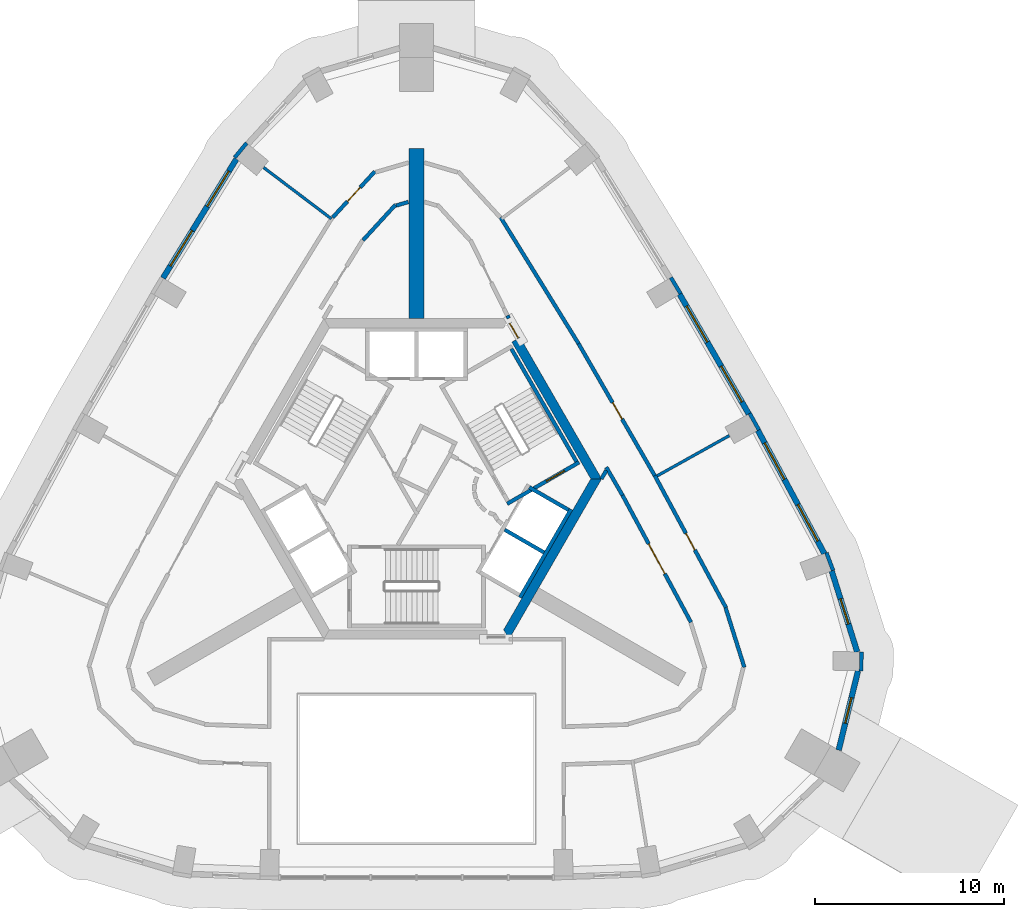
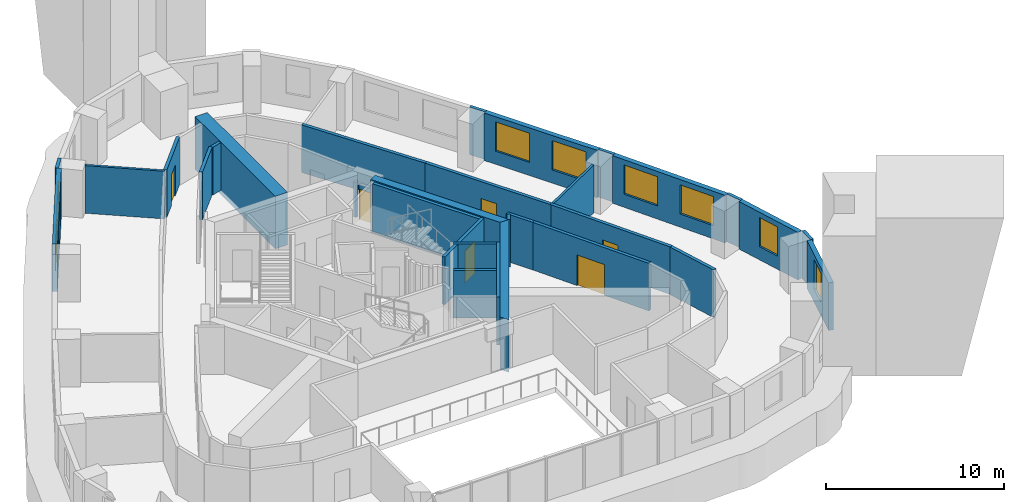
# One storey, part 6 of 11: 32 walls, 8 windows, 6 doors, 14 openings.
"""IFC4 building model written with IfcOpenShell, lengths in metres."""

import ifcopenshell
import ifcopenshell.guid

model = None  # the IFC model being written
_history = None  # IfcOwnerHistory: only IFC2X3 demands one
_inside = {}  # id of a spatial element -> (the spatial element, [elements in it])
_under = {}  # id of a project, library or spatial element -> (it, [spatial elements below it])
_declared = {}  # id of a project -> (the project, [libraries it declares])
_typed = {}  # id of a type object -> (the type object, [elements of that type])
_made_of = {}  # id of a material, layer set ... -> (it, [elements and type objects made of it])


def new_model(schema):
    """Start an empty IFC model of exactly this schema.

    Asked for "IFC4X3", IfcOpenShell would pick the latest addendum, in which some entities
    have other attributes; the version numbers below select the first issue.
    IFC2X3 requires an IfcOwnerHistory on every rooted entity: one is made here for all.
    """
    global model, _history
    if schema == "IFC4X3":
        model = ifcopenshell.file(schema_version=(4, 3, 0, 0))
    else:
        model = ifcopenshell.file(schema=schema)
    _inside.clear()
    _under.clear()
    _declared.clear()
    _typed.clear()
    _made_of.clear()
    _history = None
    if model.schema == "IFC2X3":
        org = make("IfcOrganization", Name="unknown")
        user = make(
            "IfcPersonAndOrganization",
            ThePerson=make("IfcPerson", FamilyName="unknown"),
            TheOrganization=org,
        )
        app = make(
            "IfcApplication",
            ApplicationDeveloper=org,
            Version="unknown",
            ApplicationFullName="unknown",
            ApplicationIdentifier="unknown",
        )
        _history = make(
            "IfcOwnerHistory",
            OwningUser=user,
            OwningApplication=app,
            ChangeAction="ADDED",
            CreationDate=0,
        )
    return model


def make(cls, **values):
    """One entity of the class cls with the attributes given. An attribute that is None is left unset."""
    return model.create_entity(
        cls, **{name: value for name, value in values.items() if value is not None}
    )


def rooted(cls, **values):
    """An entity with a GlobalId (a new one), such as an element, a storey or a relation."""
    return make(cls, GlobalId=ifcopenshell.guid.new(), OwnerHistory=_history, **values)


def si_unit(unit_type, name, prefix=None):
    """IfcSIUnit, for example si_unit("LENGTHUNIT", "METRE", prefix="MILLI")."""
    return make("IfcSIUnit", UnitType=unit_type, Prefix=prefix, Name=name)


def assignment(units):
    """IfcUnitAssignment: the units of a project."""
    return None if units is None else make("IfcUnitAssignment", Units=units)


def point(xyz):
    """IfcCartesianPoint."""
    return None if xyz is None else make("IfcCartesianPoint", Coordinates=xyz)


def direction(xyz):
    """IfcDirection."""
    return None if xyz is None else make("IfcDirection", DirectionRatios=xyz)


def frame(location, z_axis=None, x_axis=None):
    """IfcAxis2Placement3D, a coordinate frame: its origin and axes. An axis left out is left unset."""
    return make(
        "IfcAxis2Placement3D",
        Location=point(location),
        Axis=direction(z_axis),
        RefDirection=direction(x_axis),
    )


def frame_2d(location, x_axis=None):
    """IfcAxis2Placement2D, a coordinate frame in the plane: its origin and x axis."""
    return make(
        "IfcAxis2Placement2D", Location=point(location), RefDirection=direction(x_axis)
    )


def origin():
    """The frame at (0, 0, 0) with its axes left unset."""
    return frame((0.0, 0.0, 0.0))


def place(relative_to, where):
    """IfcLocalPlacement: puts the frame where relative to a parent placement (None: the world)."""
    return make(
        "IfcLocalPlacement", PlacementRelTo=relative_to, RelativePlacement=where
    )


def context(
    kind, dimensions, precision=None, world=None, true_north=None, identifier=None
):
    """IfcGeometricRepresentationContext, for example the 3D "Model" context."""
    return make(
        "IfcGeometricRepresentationContext",
        ContextIdentifier=identifier,
        ContextType=kind,
        CoordinateSpaceDimension=dimensions,
        Precision=precision,
        WorldCoordinateSystem=world,
        TrueNorth=true_north,
    )


def subcontext(parent, identifier, kind, view, scale=None):
    """IfcGeometricRepresentationSubContext, for example "Body" below "Model"."""
    return make(
        "IfcGeometricRepresentationSubContext",
        ContextIdentifier=identifier,
        ContextType=kind,
        ParentContext=parent,
        TargetScale=scale,
        TargetView=view,
    )


def project(units=None, contexts=None):
    """IfcProject with its units and contexts."""
    return rooted(
        "IfcProject",
        Name="project",
        RepresentationContexts=contexts,
        UnitsInContext=assignment(units),
    )


def spatial(cls, under=None, at=None, **own):
    """A site, building, storey or space (cls), placed at a placement, below another one or the project."""
    s = rooted(cls, ObjectPlacement=at, **own)
    if under is not None:
        _under.setdefault(under.id(), (under, []))[1].append(s)
    return s


def polyline(points):
    """IfcPolyline through the points."""
    return make("IfcPolyline", Points=[point(p) for p in points])


def profile(cls, at=None, kind="AREA", **sizes):
    """A parametric profile (cls). Its sizes go by their IFC names, for example OverallWidth=200.0."""
    return make(cls, ProfileType=kind, Position=at, **sizes)


def rectangle(**sizes):
    """IfcRectangleProfileDef."""
    return profile("IfcRectangleProfileDef", **sizes)


def outline(outer, holes=None, kind="AREA"):
    """IfcArbitraryClosedProfileDef: a profile drawn as a closed curve; with holes, ...WithVoids."""
    if holes is None:
        return make("IfcArbitraryClosedProfileDef", ProfileType=kind, OuterCurve=outer)
    return make(
        "IfcArbitraryProfileDefWithVoids",
        ProfileType=kind,
        OuterCurve=outer,
        InnerCurves=holes,
    )


def extrude(swept, where, along, depth):
    """IfcExtrudedAreaSolid: the profile swept, set in the frame where, extruded along a direction by depth."""
    return make(
        "IfcExtrudedAreaSolid",
        SweptArea=swept,
        Position=where,
        ExtrudedDirection=direction(along),
        Depth=depth,
    )


def shape(context_of_items, identifier, shape_type, items):
    """IfcShapeRepresentation: the items that make up one representation, for example the "Body"."""
    return make(
        "IfcShapeRepresentation",
        ContextOfItems=context_of_items,
        RepresentationIdentifier=identifier,
        RepresentationType=shape_type,
        Items=items,
    )


def material(Name=None, Category=None):
    """IfcMaterial."""
    return make("IfcMaterial", Name=Name, Category=Category)


def layer(
    of_material, thickness, ventilated=None, Name=None, Category=None, Priority=None
):
    """IfcMaterialLayer: one layer of a wall or slab, of a material (None: an air gap)."""
    return make(
        "IfcMaterialLayer",
        Material=of_material,
        LayerThickness=thickness,
        IsVentilated=ventilated,
        Name=Name,
        Category=Category,
        Priority=Priority,
    )


def layer_set(layers, Name=None):
    """IfcMaterialLayerSet."""
    return make("IfcMaterialLayerSet", MaterialLayers=layers, LayerSetName=Name)


def made_of(thing, what):
    """Note that an element or type object is made of a material, layer set ...; save() writes the relation."""
    if what is not None:
        _made_of.setdefault(what.id(), (what, []))[1].append(thing)
    return thing


def type_object(cls, material=None, **own):
    """A type object (cls), such as IfcWallType, which elements share."""
    return made_of(rooted(cls, **own), material)


def element(
    cls,
    number,
    at=None,
    inside=None,
    cuts=None,
    type_object=None,
    material=None,
    context=None,
    identifier="Body",
    shape_type=None,
    held_by="IfcProductDefinitionShape",
    body=None,
    shapes=None,
    **own,
):
    """One element of the class cls, such as IfcWall. Its Tag is "e" and its number.

    at: its placement. inside: the storey or other place that contains it. cuts: it is an
    opening in that element (IfcRelVoidsElement). A single representation is given by context,
    identifier, shape_type and body (its items); several are given by shapes. held_by: the class
    of the entity that holds the representations. save() writes the other relations.
    """
    e = rooted(cls, Tag="e%d" % number, ObjectPlacement=at, **own)
    if body is not None:
        shapes = [shape(context, identifier, shape_type, body)]
    if shapes is not None:
        e.Representation = make(held_by, Representations=shapes)
    if inside is not None:
        _inside.setdefault(inside.id(), (inside, []))[1].append(e)
    if cuts is not None:
        rooted(
            "IfcRelVoidsElement", RelatingBuildingElement=cuts, RelatedOpeningElement=e
        )
    if type_object is not None:
        _typed.setdefault(type_object.id(), (type_object, []))[1].append(e)
    return made_of(e, material)


def fill(opening, filler):
    """IfcRelFillsElement: the door or window that sits in an opening."""
    return rooted(
        "IfcRelFillsElement",
        RelatingOpeningElement=opening,
        RelatedBuildingElement=filler,
    )


def aggregate(whole, parts):
    """IfcRelAggregates: a whole, such as a stair, and the parts it consists of."""
    return rooted("IfcRelAggregates", RelatingObject=whole, RelatedObjects=parts)


def save(model, path):
    """Write the relations noted so far, then the file.

    IfcRelAggregates (storeys below a building ...), IfcRelContainedInSpatialStructure (elements
    in a storey), IfcRelDefinesByType, IfcRelAssociatesMaterial and IfcRelDeclares: one each for
    every whole, place, type object, material and project.
    """
    for whole, parts in _under.values():
        aggregate(whole, parts)
    for where, things in _inside.values():
        rooted(
            "IfcRelContainedInSpatialStructure",
            RelatedElements=things,
            RelatingStructure=where,
        )
    for kind, things in _typed.values():
        rooted("IfcRelDefinesByType", RelatedObjects=things, RelatingType=kind)
    for what, things in _made_of.values():
        rooted("IfcRelAssociatesMaterial", RelatedObjects=things, RelatingMaterial=what)
    for by, libraries in _declared.values():
        rooted("IfcRelDeclares", RelatingContext=by, RelatedDefinitions=libraries)
    model.write(path)


model = new_model("IFC4")

# Units and contexts
model_context = context("Model", 3, precision=1e-05, world=origin(), true_north=direction((0.0, 1.0)))
body_context = subcontext(model_context, "Body", "Model", "MODEL_VIEW")
ifc_project = project(units=[si_unit("LENGTHUNIT", "METRE"), si_unit("AREAUNIT", "SQUARE_METRE"), si_unit("VOLUMEUNIT", "CUBIC_METRE"), si_unit("PLANEANGLEUNIT", "RADIAN"), si_unit("MASSUNIT", "GRAM", prefix="KILO")], contexts=[model_context])

# Site, building, storey
site_placement = place(None, origin())
site = spatial("IfcSite", under=ifc_project, at=site_placement, CompositionType="ELEMENT")
building_placement = place(site_placement, origin())
building = spatial("IfcBuilding", under=site, at=building_placement, Name="Entoto Arch Interchange Tower", CompositionType="ELEMENT")
storey_placement = place(building_placement, frame((0.0, 0.0, 308.0)))
storey = spatial("IfcBuildingStorey", under=building, at=storey_placement, Name="L72", CompositionType="ELEMENT", Elevation=308.0)

# Wall
ifc_material_1 = material(Name="Concrete C40/50", Category="concrete")
ifc_layer_1 = layer(ifc_material_1, 0.800048828125)
ifc_layer_set_1 = layer_set([ifc_layer_1], Name="Concrete C40/50")
wall_type_1 = type_object("IfcWallType", Name="Buttress wall 800 C40/50", PredefinedType="SHEAR", material=ifc_layer_set_1)
wall_1_placement = place(storey_placement, frame((0.0, 11.0, -0.340087890625), z_axis=(0.0, 0.0, 1.0), x_axis=(0.0, 1.0, 0.0)))
element("IfcWall", 1, at=wall_1_placement, inside=storey, type_object=wall_type_1, Name="Buttress wall N L72", PredefinedType="SHEAR", context=body_context, shape_type="SweptSolid", body=[
    extrude(rectangle(XDim=9.0, YDim=0.800048828125, at=frame_2d((4.5, 0.0))), origin(), (0.0, 0.0, 1.0), 3.60009765625),
])

# Wall, opening, door
ifc_material_2 = material(Name="Reinforced concrete C40/50", Category="concrete")
ifc_layer_2 = layer(ifc_material_2, 0.199951171875)
ifc_layer_set_2 = layer_set([ifc_layer_2], Name="Reinforced concrete C40/50")
wall_type_2 = type_object("IfcWallType", Name="CORE GAP INFILL WALL", PredefinedType="PARTITIONING", material=ifc_layer_set_2)
wall_2_placement = place(storey_placement, frame((5.39892578125, 9.947998046875, 0.0), z_axis=(0.0, 0.0, 1.0), x_axis=(-0.499882215713, 0.866093395895, 0.0)))
wall_2 = element("IfcWall", 2, at=wall_2_placement, inside=storey, type_object=wall_type_2, Name="wall:L72:gap2", PredefinedType="PARTITIONING", context=body_context, shape_type="SweptSolid", body=[
    extrude(rectangle(XDim=0.926025390625, YDim=0.199951171875, at=frame_2d((0.462890625, 0.0))), origin(), (0.0, 0.0, 1.0), 2.39990234375),
])
opening_1_placement = place(wall_2_placement, frame((0.01708984375, 0.0, 0.0)))
opening_1 = element("IfcOpeningElement", 3, at=opening_1_placement, cuts=wall_2, Name="Opening L72-D92", PredefinedType="OPENING", context=body_context, shape_type="SweptSolid", body=[
    extrude(rectangle(XDim=0.89990234375, YDim=2.10009765625, at=frame_2d((0.449951171875, 1.050048828125))), frame((0.0, 0.10986328125, 0.0), z_axis=(0.0, -1.0, 0.0), x_axis=(1.0, 0.0, 0.0)), (0.0, 0.0, 1.0), 0.219970703125),
])
ifc_material_3 = material(Name="Fire-rated Steel S235 door and frame", Category="steel")
door_type_1 = type_object("IfcDoorType", Name="DOOR FD-09 900x2100", OperationType="SINGLE_SWING_LEFT", PredefinedType="DOOR", material=ifc_material_3)
door_1_placement = place(opening_1_placement, origin())
door_1 = element("IfcDoor", 4, at=door_1_placement, inside=storey, type_object=door_type_1, Name="door:L72:gap2", OperationType="SINGLE_SWING_LEFT", OverallHeight=2.10009765625, OverallWidth=0.89990234375, PredefinedType="DOOR", context=body_context, shape_type="SweptSolid", body=[
    extrude(rectangle(XDim=0.89990234375, YDim=2.10009765625, at=frame_2d((0.449951171875, 1.050048828125))), frame((0.0, 0.02490234375, 0.0), z_axis=(0.0, -1.0, 0.0), x_axis=(1.0, 0.0, 0.0)), (0.0, 0.0, 1.0), 0.050048828125),
])
fill(opening_1, door_1)

# Walls
ifc_layer_3 = layer(ifc_material_1, 0.5)
ifc_layer_set_3 = layer_set([ifc_layer_3], Name="Concrete C40/50")
wall_type_3 = type_object("IfcWallType", Name="Core wall 500 C40/50", PredefinedType="SHEAR", material=ifc_layer_set_3)
wall_3_placement = place(storey_placement, frame((0.0, 0.0, -0.340087890625)))
element("IfcWall", 5, at=wall_3_placement, inside=storey, type_object=wall_type_3, Name="Core wall NE L72", PredefinedType="SHEAR", context=body_context, shape_type="SweptSolid", body=[
    extrude(outline(polyline([(5.486083984375, 9.998046875), (5.052978515625, 9.748046875), (9.238037109375, 2.5), (9.81494140625, 2.5), (5.486083984375, 9.998046875)])), origin(), (0.0, 0.0, 1.0), 3.60009765625),
])
wall_4_placement = place(storey_placement, frame((0.0, 0.0, -0.340087890625)))
element("IfcWall", 6, at=wall_4_placement, inside=storey, type_object=wall_type_3, Name="Core wall SE L72", PredefinedType="SHEAR", context=body_context, shape_type="SweptSolid", body=[
    extrude(outline(polyline([(4.906982421875, -6.0), (9.81494140625, 2.5), (9.238037109375, 2.5), (4.618896484375, -5.5), (4.906982421875, -6.0)])), origin(), (0.0, 0.0, 1.0), 3.60009765625),
])
ifc_layer_4 = layer(ifc_material_1, 0.199951171875)
ifc_layer_set_4 = layer_set([ifc_layer_4], Name="Concrete C40/50")
wall_type_4 = type_object("IfcWallType", Name="LIFT SHAFT WALL 200", PredefinedType="STANDARD", material=ifc_layer_set_4)
wall_5_placement = place(storey_placement, frame((5.491943359375, -3.7880859375, 0.0), z_axis=(0.0, 0.0, 1.0), x_axis=(0.500034260056, 0.866005622828, 0.0)))
element("IfcWall", 7, at=wall_5_placement, inside=storey, type_object=wall_type_4, Name="Shaft wall SE1 back", PredefinedType="STANDARD", context=body_context, shape_type="SweptSolid", body=[
    extrude(rectangle(XDim=5.3994140625, YDim=0.199951171875, at=frame_2d((2.69970703125, 0.0))), origin(), (0.0, 0.0, 1.0), 3.260009765625),
])
for number, where, z_axis, x_axis, name in (
    (8, (4.677001953125, -0.199951171875, 0.0), (0.0, 0.0, 1.0), (0.865973769406, -0.500089422704, 0.0), "Shaft wall SE1 cross 2"),
    (9, (5.97705078125, 2.052001953125, 0.0), (0.0, 0.0, 1.0), (0.865973769406, -0.500089422704, 0.0), "Shaft wall SE1 cross 3"),
):
    element("IfcWall", number, at=place(storey_placement, frame(where, z_axis=z_axis, x_axis=x_axis)), inside=storey, type_object=wall_type_4, Name=name, PredefinedType="STANDARD", context=body_context, shape_type="SweptSolid", body=[
        extrude(rectangle(XDim=2.3994140625, YDim=0.199951171875, at=frame_2d((1.19970703125, 0.0))), origin(), (0.0, 0.0, 1.0), 3.260009765625),
    ])
ifc_material_4 = material(Name="Gypsum board partition on steel studs", Category="steel")
ifc_layer_5 = layer(ifc_material_4, 0.14990234375)
ifc_layer_set_5 = layer_set([ifc_layer_5], Name="Gypsum board partition on steel studs")
wall_type_5 = type_object("IfcWallType", Name="PARTITION 150", PredefinedType="PARTITIONING", material=ifc_layer_set_5)
wall_6_placement = place(storey_placement, frame((12.7509765625, 2.654052734375, 0.0), z_axis=(0.0, 0.0, 1.0), x_axis=(0.873277679945, 0.487222837837, 0.0)))
element("IfcWall", 10, at=wall_6_placement, inside=storey, type_object=wall_type_5, Name="wall:L72:p070", PredefinedType="PARTITIONING", context=body_context, shape_type="SweptSolid", body=[
    extrude(rectangle(XDim=4.3798828125, YDim=0.14990234375, at=frame_2d((2.18994140625, 0.0))), origin(), (0.0, 0.0, 1.0), 3.260009765625),
])
wall_7_placement = place(storey_placement, frame((-4.507080078125, 16.279052734375, 0.0), z_axis=(0.0, 0.0, 1.0), x_axis=(-0.797594482062, 0.603194033611, 0.0)))
element("IfcWall", 11, at=wall_7_placement, inside=storey, type_object=wall_type_5, Name="wall:L72:p072", PredefinedType="PARTITIONING", context=body_context, shape_type="SweptSolid", body=[
    extrude(rectangle(XDim=4.506103515625, YDim=0.14990234375, at=frame_2d((2.2529296875, 0.0))), origin(), (0.0, 0.0, 1.0), 3.260009765625),
])
ifc_layer_6 = layer(ifc_material_4, 0.199951171875)
ifc_layer_set_6 = layer_set([ifc_layer_6], Name="Gypsum board partition on steel studs")
wall_type_6 = type_object("IfcWallType", Name="PARTITION 200", PredefinedType="PARTITIONING", material=ifc_layer_set_6)
wall_8_placement = place(storey_placement, frame((4.89599609375, 11.0, 0.0), z_axis=(0.0, 0.0, 1.0), x_axis=(-0.44208884847, 0.896971264901, 0.0)))
element("IfcWall", 12, at=wall_8_placement, inside=storey, type_object=wall_type_6, Name="wall:L72:p008", PredefinedType="PARTITIONING", context=body_context, shape_type="SweptSolid", body=[
    extrude(rectangle(XDim=0.171630859375, YDim=0.199951171875, at=frame_2d((0.0859375, 0.0))), origin(), (0.0, 0.0, 1.0), 2.39990234375),
])
wall_9_placement = place(storey_placement, frame((-0.427978515625, 17.173095703125, 0.0), z_axis=(0.0, 0.0, 1.0), x_axis=(-0.959359762669, -0.282185835526, 0.0)))
element("IfcWall", 13, at=wall_9_placement, inside=storey, type_object=wall_type_6, Name="wall:L72:p010", PredefinedType="PARTITIONING", context=body_context, shape_type="SweptSolid", body=[
    extrude(rectangle(XDim=0.677490234375, YDim=0.199951171875, at=frame_2d((0.3388671875, 0.0))), origin(), (0.0, 0.0, 1.0), 3.260009765625),
])
wall_10_placement = place(storey_placement, frame((-1.10693359375, 17.028076171875, 0.0), z_axis=(0.0, 0.0, 1.0), x_axis=(-0.675780767979, -0.737102675093, 0.0)))
element("IfcWall", 14, at=wall_10_placement, inside=storey, type_object=wall_type_6, Name="wall:L72:p011", PredefinedType="PARTITIONING", context=body_context, shape_type="SweptSolid", body=[
    extrude(rectangle(XDim=2.56005859375, YDim=0.199951171875, at=frame_2d((1.280029296875, 0.0))), origin(), (0.0, 0.0, 1.0), 3.260009765625),
])

# Wall, opening, door
wall_11_placement = place(storey_placement, frame((14.549072265625, -5.10693359375, 0.0), z_axis=(0.0, 0.0, 1.0), x_axis=(-0.47449538478, 0.880257990491, 0.0)))
wall_11 = element("IfcWall", 15, at=wall_11_placement, inside=storey, type_object=wall_type_6, Name="wall:L72:p019", PredefinedType="PARTITIONING", context=body_context, shape_type="SweptSolid", body=[
    extrude(rectangle(XDim=7.654541015625, YDim=0.199951171875, at=frame_2d((3.8271484375, 0.0))), origin(), (0.0, 0.0, 1.0), 3.260009765625),
])
opening_2_placement = place(wall_11_placement, frame((2.927001953125, 0.0, 0.0)))
opening_2 = element("IfcOpeningElement", 16, at=opening_2_placement, cuts=wall_11, Name="Opening L72-D08", PredefinedType="OPENING", context=body_context, shape_type="SweptSolid", body=[
    extrude(rectangle(XDim=1.800048828125, YDim=2.10009765625, at=frame_2d((0.89990234375, 1.050048828125))), frame((0.0, 0.10986328125, 0.0), z_axis=(0.0, -1.0, 0.0), x_axis=(1.0, 0.0, 0.0)), (0.0, 0.0, 1.0), 0.219970703125),
])
ifc_material_5 = material(Name="Timber door leaf in Steel S235 frame", Category="steel")
door_type_2 = type_object("IfcDoorType", Name="DOOR DD-18 1800x2100", OperationType="DOUBLE_DOOR_SINGLE_SWING", PredefinedType="DOOR", material=ifc_material_5)
door_2_placement = place(opening_2_placement, origin())
door_2 = element("IfcDoor", 17, at=door_2_placement, inside=storey, type_object=door_type_2, Name="door:L72:08", OperationType="DOUBLE_DOOR_SINGLE_SWING", OverallHeight=2.10009765625, OverallWidth=1.800048828125, PredefinedType="DOOR", context=body_context, shape_type="SweptSolid", body=[
    extrude(rectangle(XDim=1.800048828125, YDim=2.10009765625, at=frame_2d((0.89990234375, 1.050048828125))), frame((0.0, 0.02490234375, 0.0), z_axis=(0.0, -1.0, 0.0), x_axis=(1.0, 0.0, 0.0)), (0.0, 0.0, 1.0), 0.050048828125),
])
fill(opening_2, door_2)

# Walls
wall_12_placement = place(storey_placement, frame((10.9169921875, 1.631103515625, 0.0), z_axis=(0.0, 0.0, 1.0), x_axis=(-0.500699613169, 0.865621104972, 0.0)))
element("IfcWall", 18, at=wall_12_placement, inside=storey, type_object=wall_type_6, Name="wall:L72:p020", PredefinedType="PARTITIONING", context=body_context, shape_type="SweptSolid", body=[
    extrude(rectangle(XDim=1.71533203125, YDim=0.199951171875, at=frame_2d((0.857666015625, 0.0))), origin(), (0.0, 0.0, 1.0), 3.260009765625),
])
wall_13_placement = place(storey_placement, frame((10.05810546875, 2.943115234375, 0.0), z_axis=(0.0, 0.0, 1.0), x_axis=(-0.499352927503, -0.866398669086, 0.0)))
element("IfcWall", 19, at=wall_13_placement, inside=storey, type_object=wall_type_6, Name="wall:L72:p021", PredefinedType="PARTITIONING", context=body_context, shape_type="SweptSolid", body=[
    extrude(rectangle(XDim=0.514892578125, YDim=0.199951171875, at=frame_2d((0.25732421875, 0.0))), origin(), (0.0, 0.0, 1.0), 3.260009765625),
])

# Wall, opening, door
wall_14_placement = place(storey_placement, frame((12.6279296875, 2.6708984375, 0.0), z_axis=(0.0, 0.0, 1.0), x_axis=(0.474489967676, -0.880260910512, 0.0)))
wall_14 = element("IfcWall", 20, at=wall_14_placement, inside=storey, type_object=wall_type_6, Name="wall:L72:p031", PredefinedType="PARTITIONING", context=body_context, shape_type="SweptSolid", body=[
    extrude(rectangle(XDim=7.947509765625, YDim=0.199951171875, at=frame_2d((3.9736328125, 0.0))), origin(), (0.0, 0.0, 1.0), 3.260009765625),
])
opening_3_placement = place(wall_14_placement, frame((3.47412109375, 0.0, 0.0)))
opening_3 = element("IfcOpeningElement", 21, at=opening_3_placement, cuts=wall_14, Name="Opening L72-D02", PredefinedType="OPENING", context=body_context, shape_type="SweptSolid", body=[
    extrude(rectangle(XDim=1.0, YDim=2.10009765625, at=frame_2d((0.5, 1.050048828125))), frame((0.0, 0.10986328125, 0.0), z_axis=(0.0, -1.0, 0.0), x_axis=(1.0, 0.0, 0.0)), (0.0, 0.0, 1.0), 0.219970703125),
])
door_type_3 = type_object("IfcDoorType", Name="DOOR DS-10 1000x2100", OperationType="SINGLE_SWING_LEFT", PredefinedType="DOOR", material=ifc_material_5)
door_3_placement = place(opening_3_placement, origin())
door_3 = element("IfcDoor", 22, at=door_3_placement, inside=storey, type_object=door_type_3, Name="door:L72:02", OperationType="SINGLE_SWING_LEFT", OverallHeight=2.10009765625, OverallWidth=1.0, PredefinedType="DOOR", context=body_context, shape_type="SweptSolid", body=[
    extrude(rectangle(XDim=1.0, YDim=2.10009765625, at=frame_2d((0.5, 1.050048828125))), frame((0.0, 0.02490234375, 0.0), z_axis=(0.0, -1.0, 0.0), x_axis=(1.0, 0.0, 0.0)), (0.0, 0.0, 1.0), 0.050048828125),
])
fill(opening_3, door_3)

# Walls
wall_15_placement = place(storey_placement, frame((16.382080078125, -4.33203125, 0.0), z_axis=(0.0, 0.0, 1.0), x_axis=(0.300195088058, -0.953877827138, 0.0)))
element("IfcWall", 23, at=wall_15_placement, inside=storey, type_object=wall_type_6, Name="wall:L72:p032", PredefinedType="PARTITIONING", context=body_context, shape_type="SweptSolid", body=[
    extrude(rectangle(XDim=3.3076171875, YDim=0.199951171875, at=frame_2d((1.65380859375, 0.0))), origin(), (0.0, 0.0, 1.0), 3.260009765625),
])
wall_16_placement = place(storey_placement, frame((4.4541015625, 16.364013671875, 0.0), z_axis=(0.0, 0.0, 1.0), x_axis=(0.525142215688, -0.851014484778, 0.0)))
element("IfcWall", 24, at=wall_16_placement, inside=storey, type_object=wall_type_6, Name="wall:L72:p036", PredefinedType="PARTITIONING", context=body_context, shape_type="SweptSolid", body=[
    extrude(rectangle(XDim=7.871826171875, YDim=0.199951171875, at=frame_2d((3.93603515625, 0.0))), origin(), (0.0, 0.0, 1.0), 3.260009765625),
])

# Wall, opening, door
wall_17_placement = place(storey_placement, frame((8.587890625, 9.6650390625, 0.0), z_axis=(0.0, 0.0, 1.0), x_axis=(0.499946799636, -0.86605611685, 0.0)))
wall_17 = element("IfcWall", 25, at=wall_17_placement, inside=storey, type_object=wall_type_6, Name="wall:L72:p037", PredefinedType="PARTITIONING", context=body_context, shape_type="SweptSolid", body=[
    extrude(rectangle(XDim=8.22705078125, YDim=0.199951171875, at=frame_2d((4.113525390625, 0.0))), origin(), (0.0, 0.0, 1.0), 3.260009765625),
])
opening_4_placement = place(wall_17_placement, frame((3.613037109375, 0.0, 0.0)))
opening_4 = element("IfcOpeningElement", 26, at=opening_4_placement, cuts=wall_17, Name="Opening L72-D03", PredefinedType="OPENING", context=body_context, shape_type="SweptSolid", body=[
    extrude(rectangle(XDim=1.0, YDim=2.10009765625, at=frame_2d((0.5, 1.050048828125))), frame((0.0, 0.10986328125, 0.0), z_axis=(0.0, -1.0, 0.0), x_axis=(1.0, 0.0, 0.0)), (0.0, 0.0, 1.0), 0.219970703125),
])
door_4_placement = place(opening_4_placement, origin())
door_4 = element("IfcDoor", 27, at=door_4_placement, inside=storey, type_object=door_type_3, Name="door:L72:03", OperationType="SINGLE_SWING_RIGHT", OverallHeight=2.10009765625, OverallWidth=1.0, PredefinedType="DOOR", context=body_context, shape_type="SweptSolid", body=[
    extrude(rectangle(XDim=1.0, YDim=2.10009765625, at=frame_2d((0.5, 1.050048828125))), frame((0.0, 0.02490234375, 0.0), z_axis=(0.0, -1.0, 0.0), x_axis=(1.0, 0.0, 0.0)), (0.0, 0.0, 1.0), 0.050048828125),
])
fill(opening_4, door_4)

wall_18_placement = place(storey_placement, frame((-4.43896484375, 16.35302734375, 0.0), z_axis=(0.0, 0.0, 1.0), x_axis=(0.675731313907, 0.737148011871, 0.0)))
wall_18 = element("IfcWall", 28, at=wall_18_placement, inside=storey, type_object=wall_type_6, Name="wall:L72:p038", PredefinedType="PARTITIONING", context=body_context, shape_type="SweptSolid", body=[
    extrude(rectangle(XDim=3.307373046875, YDim=0.199951171875, at=frame_2d((1.65380859375, 0.0))), origin(), (0.0, 0.0, 1.0), 3.260009765625),
])
opening_5_placement = place(wall_18_placement, frame((1.154052734375, 0.0, 0.0)))
opening_5 = element("IfcOpeningElement", 29, at=opening_5_placement, cuts=wall_18, Name="Opening L72-D04", PredefinedType="OPENING", context=body_context, shape_type="SweptSolid", body=[
    extrude(rectangle(XDim=1.0, YDim=2.10009765625, at=frame_2d((0.5, 1.050048828125))), frame((0.0, 0.10986328125, 0.0), z_axis=(0.0, -1.0, 0.0), x_axis=(1.0, 0.0, 0.0)), (0.0, 0.0, 1.0), 0.219970703125),
])
door_5_placement = place(opening_5_placement, origin())
door_5 = element("IfcDoor", 30, at=door_5_placement, inside=storey, type_object=door_type_3, Name="door:L72:04", OperationType="SINGLE_SWING_LEFT", OverallHeight=2.10009765625, OverallWidth=1.0, PredefinedType="DOOR", context=body_context, shape_type="SweptSolid", body=[
    extrude(rectangle(XDim=1.0, YDim=2.10009765625, at=frame_2d((0.5, 1.050048828125))), frame((0.0, 0.02490234375, 0.0), z_axis=(0.0, -1.0, 0.0), x_axis=(1.0, 0.0, 0.0)), (0.0, 0.0, 1.0), 0.050048828125),
])
fill(opening_5, door_5)

ifc_layer_7 = layer(ifc_material_1, 0.199951171875)
ifc_layer_set_7 = layer_set([ifc_layer_7], Name="Concrete C40/50")
wall_type_7 = type_object("IfcWallType", Name="STAIR ENCLOSURE WALL 200", PredefinedType="STANDARD", material=ifc_layer_set_7)
wall_19_placement = place(storey_placement, frame((4.805908203125, 1.176025390625, 0.0), z_axis=(0.0, 0.0, 1.0), x_axis=(0.866059941101, 0.499940174841, 0.0)))
wall_19 = element("IfcWall", 31, at=wall_19_placement, inside=storey, type_object=wall_type_7, Name="Stair wall ST-NE near", PredefinedType="STANDARD", context=body_context, shape_type="SweptSolid", body=[
    extrude(rectangle(XDim=4.400390625, YDim=0.199951171875, at=frame_2d((2.2001953125, 0.0))), origin(), (0.0, 0.0, 1.0), 3.260009765625),
])
opening_6_placement = place(wall_19_placement, frame((2.39990234375, 0.0, 0.0)))
opening_6 = element("IfcOpeningElement", 32, at=opening_6_placement, cuts=wall_19, Name="Opening SD-ST-NE-L72-E", PredefinedType="OPENING", context=body_context, shape_type="SweptSolid", body=[
    extrude(rectangle(XDim=1.10009765625, YDim=2.199951171875, at=frame_2d((0.550048828125, 1.10009765625))), frame((0.0, 0.10986328125, 0.0), z_axis=(0.0, -1.0, 0.0), x_axis=(1.0, 0.0, 0.0)), (0.0, 0.0, 1.0), 0.219970703125),
])
ifc_material_6 = material(Name="Steel S235", Category="steel")
door_type_4 = type_object("IfcDoorType", Name="STAIR DOOR SD1 1100x2200", OperationType="SINGLE_SWING_LEFT", PredefinedType="DOOR", material=ifc_material_6)
door_6_placement = place(opening_6_placement, origin())
door_6 = element("IfcDoor", 33, at=door_6_placement, inside=storey, type_object=door_type_4, Name="Stair door ST-NE L72 end", OperationType="SINGLE_SWING_LEFT", OverallHeight=2.199951171875, OverallWidth=1.10009765625, PredefinedType="DOOR", context=body_context, shape_type="SweptSolid", body=[
    extrude(rectangle(XDim=1.10009765625, YDim=2.199951171875, at=frame_2d((0.550048828125, 1.10009765625))), frame((0.0, 0.02490234375, 0.0), z_axis=(0.0, -1.0, 0.0), x_axis=(1.0, 0.0, 0.0)), (0.0, 0.0, 1.0), 0.050048828125),
])
fill(opening_6, door_6)

# Wall
wall_20_placement = place(storey_placement, frame((8.47998046875, 3.412109375, 0.0), z_axis=(0.0, 0.0, 1.0), x_axis=(-0.499978703459, 0.866037698999, 0.0)))
element("IfcWall", 34, at=wall_20_placement, inside=storey, type_object=wall_type_7, Name="Stair wall ST-NE back", PredefinedType="STANDARD", context=body_context, shape_type="SweptSolid", body=[
    extrude(rectangle(XDim=6.900146484375, YDim=0.199951171875, at=frame_2d((3.4501953125, 0.0))), origin(), (0.0, 0.0, 1.0), 3.260009765625),
])

# Wall, opening, window
ifc_material_7 = material(Name="Welded tuff (ignimbrite) cladding, warm buff", Category="masonry")
ifc_layer_8 = layer(ifc_material_7, 0.300048828125)
ifc_layer_set_8 = layer_set([ifc_layer_8], Name="Welded tuff (ignimbrite) cladding, warm buff")
wall_type_8 = type_object("IfcWallType", Name="STONE INFILL WALL 300", PredefinedType="STANDARD", material=ifc_layer_set_8)
wall_21_placement = place(storey_placement, frame((22.375, -11.881103515625, 0.0), z_axis=(0.0, 0.0, 1.0), x_axis=(0.236958776561, 0.971519705519, 0.0)))
wall_21 = element("IfcWall", 35, at=wall_21_placement, inside=storey, type_object=wall_type_8, Name="Facade wall SE-03 L72", PredefinedType="STANDARD", context=body_context, shape_type="SweptSolid", body=[
    extrude(rectangle(XDim=4.329345703125, YDim=0.300048828125, at=frame_2d((2.16455078125, 0.0))), origin(), (0.0, 0.0, 1.0), 3.260009765625),
])
opening_7_placement = place(wall_21_placement, frame((1.465087890625, 0.0, 0.89990234375)))
opening_7 = element("IfcOpeningElement", 36, at=opening_7_placement, cuts=wall_21, Name="Opening WH-B", PredefinedType="OPENING", context=body_context, shape_type="SweptSolid", body=[
    extrude(rectangle(XDim=1.39990234375, YDim=2.0, at=frame_2d((0.699951171875, 1.0))), frame((0.0, 0.16015625, 0.0), z_axis=(0.0, -1.0, 0.0), x_axis=(1.0, 0.0, 0.0)), (0.0, 0.0, 1.0), 0.320068359375),
])
ifc_material_8 = material(Name="Clear glass, low-e double glazed", Category="glass")
window_type_1 = type_object("IfcWindowType", Name="WINDOW WH-B 1400x2000", PartitioningType="DOUBLE_PANEL_VERTICAL", PredefinedType="WINDOW", material=ifc_material_8)
window_1_placement = place(opening_7_placement, origin())
window_1 = element("IfcWindow", 37, at=window_1_placement, inside=storey, type_object=window_type_1, Name="Window WH-B SE-03 L72", OverallHeight=2.0, OverallWidth=1.39990234375, PartitioningType="SINGLE_PANEL", PredefinedType="WINDOW", context=body_context, shape_type="SweptSolid", body=[
    extrude(rectangle(XDim=1.39990234375, YDim=2.0, at=frame_2d((0.699951171875, 1.0))), frame((0.0, 0.030029296875, 0.0), z_axis=(0.0, -1.0, 0.0), x_axis=(1.0, 0.0, 0.0)), (0.0, 0.0, 1.0), 0.06005859375),
])
fill(opening_7, window_1)

wall_22_placement = place(storey_placement, frame((23.35791015625, -6.675048828125, 0.0), z_axis=(0.0, 0.0, 1.0), x_axis=(-0.300534385574, 0.953770980418, 0.0)))
wall_22 = element("IfcWall", 38, at=wall_22_placement, inside=storey, type_object=wall_type_8, Name="Facade wall SE-04 L72", PredefinedType="STANDARD", context=body_context, shape_type="SweptSolid", body=[
    extrude(rectangle(XDim=4.501953125, YDim=0.300048828125, at=frame_2d((2.2509765625, 0.0))), origin(), (0.0, 0.0, 1.0), 3.260009765625),
])
opening_8_placement = place(wall_22_placement, frame((1.551025390625, 0.0, 0.89990234375)))
opening_8 = element("IfcOpeningElement", 39, at=opening_8_placement, cuts=wall_22, Name="Opening WH-B", PredefinedType="OPENING", context=body_context, shape_type="SweptSolid", body=[
    extrude(rectangle(XDim=1.39990234375, YDim=2.0, at=frame_2d((0.699951171875, 1.0))), frame((0.0, 0.16015625, 0.0), z_axis=(0.0, -1.0, 0.0), x_axis=(1.0, 0.0, 0.0)), (0.0, 0.0, 1.0), 0.320068359375),
])
window_2_placement = place(opening_8_placement, origin())
window_2 = element("IfcWindow", 40, at=window_2_placement, inside=storey, type_object=window_type_1, Name="Window WH-B SE-04 L72", OverallHeight=2.0, OverallWidth=1.39990234375, PartitioningType="SINGLE_PANEL", PredefinedType="WINDOW", context=body_context, shape_type="SweptSolid", body=[
    extrude(rectangle(XDim=1.39990234375, YDim=2.0, at=frame_2d((0.699951171875, 1.0))), frame((0.0, 0.030029296875, 0.0), z_axis=(0.0, -1.0, 0.0), x_axis=(1.0, 0.0, 0.0)), (0.0, 0.0, 1.0), 0.06005859375),
])
fill(opening_8, window_2)

# Wall, openings, windows
wall_23_placement = place(storey_placement, frame((21.614990234375, -1.4619140625, 0.0), z_axis=(0.0, 0.0, 1.0), x_axis=(-0.474421773145, 0.880297666228, 0.0)))
wall_23 = element("IfcWall", 41, at=wall_23_placement, inside=storey, type_object=wall_type_8, Name="Facade wall NE-01 L72", PredefinedType="STANDARD", context=body_context, shape_type="SweptSolid", body=[
    extrude(rectangle(XDim=7.41552734375, YDim=0.300048828125, at=frame_2d((3.707763671875, 0.0))), origin(), (0.0, 0.0, 1.0), 3.260009765625),
])
opening_9_placement = place(wall_23_placement, frame((0.75390625, 0.0, 0.89990234375)))
opening_9 = element("IfcOpeningElement", 42, at=opening_9_placement, cuts=wall_23, Name="Opening WH-A", PredefinedType="OPENING", context=body_context, shape_type="SweptSolid", body=[
    extrude(rectangle(XDim=2.199951171875, YDim=2.0, at=frame_2d((1.10009765625, 1.0))), frame((0.0, 0.16015625, 0.0), z_axis=(0.0, -1.0, 0.0), x_axis=(1.0, 0.0, 0.0)), (0.0, 0.0, 1.0), 0.320068359375),
])
opening_10_placement = place(wall_23_placement, frame((4.4619140625, 0.0, 0.89990234375)))
opening_10 = element("IfcOpeningElement", 43, at=opening_10_placement, cuts=wall_23, Name="Opening WH-A", PredefinedType="OPENING", context=body_context, shape_type="SweptSolid", body=[
    extrude(rectangle(XDim=2.199951171875, YDim=2.0, at=frame_2d((1.10009765625, 1.0))), frame((0.0, 0.16015625, 0.0), z_axis=(0.0, -1.0, 0.0), x_axis=(1.0, 0.0, 0.0)), (0.0, 0.0, 1.0), 0.320068359375),
])
window_type_2 = type_object("IfcWindowType", Name="WINDOW WH-A 2200x2000", PartitioningType="DOUBLE_PANEL_VERTICAL", PredefinedType="WINDOW", material=ifc_material_8)
window_3_placement = place(opening_9_placement, origin())
window_3 = element("IfcWindow", 44, at=window_3_placement, inside=storey, type_object=window_type_2, Name="Window WH-A NE-01 L72", OverallHeight=2.0, OverallWidth=2.199951171875, PartitioningType="SINGLE_PANEL", PredefinedType="WINDOW", context=body_context, shape_type="SweptSolid", body=[
    extrude(rectangle(XDim=2.199951171875, YDim=2.0, at=frame_2d((1.10009765625, 1.0))), frame((0.0, 0.030029296875, 0.0), z_axis=(0.0, -1.0, 0.0), x_axis=(1.0, 0.0, 0.0)), (0.0, 0.0, 1.0), 0.06005859375),
])
fill(opening_9, window_3)
window_4_placement = place(opening_10_placement, origin())
window_4 = element("IfcWindow", 45, at=window_4_placement, inside=storey, type_object=window_type_2, Name="Window WH-A NE-01 L72", OverallHeight=2.0, OverallWidth=2.199951171875, PartitioningType="SINGLE_PANEL", PredefinedType="WINDOW", context=body_context, shape_type="SweptSolid", body=[
    extrude(rectangle(XDim=2.199951171875, YDim=2.0, at=frame_2d((1.10009765625, 1.0))), frame((0.0, 0.030029296875, 0.0), z_axis=(0.0, -1.0, 0.0), x_axis=(1.0, 0.0, 0.0)), (0.0, 0.0, 1.0), 0.06005859375),
])
fill(opening_10, window_4)

wall_24_placement = place(storey_placement, frame((17.610107421875, 5.93701171875, 0.0), z_axis=(0.0, 0.0, 1.0), x_axis=(-0.499923391538, 0.866069629183, 0.0)))
wall_24 = element("IfcWall", 46, at=wall_24_placement, inside=storey, type_object=wall_type_8, Name="Facade wall NE-02 L72", PredefinedType="STANDARD", context=body_context, shape_type="SweptSolid", body=[
    extrude(rectangle(XDim=7.327392578125, YDim=0.300048828125, at=frame_2d((3.66357421875, 0.0))), origin(), (0.0, 0.0, 1.0), 3.260009765625),
])
opening_11_placement = place(wall_24_placement, frame((0.73193359375, 0.0, 0.89990234375)))
opening_11 = element("IfcOpeningElement", 47, at=opening_11_placement, cuts=wall_24, Name="Opening WH-A", PredefinedType="OPENING", context=body_context, shape_type="SweptSolid", body=[
    extrude(rectangle(XDim=2.199951171875, YDim=2.0, at=frame_2d((1.10009765625, 1.0))), frame((0.0, 0.16015625, 0.0), z_axis=(0.0, -1.0, 0.0), x_axis=(1.0, 0.0, 0.0)), (0.0, 0.0, 1.0), 0.320068359375),
])
opening_12_placement = place(wall_24_placement, frame((4.39501953125, 0.0, 0.89990234375)))
opening_12 = element("IfcOpeningElement", 48, at=opening_12_placement, cuts=wall_24, Name="Opening WH-A", PredefinedType="OPENING", context=body_context, shape_type="SweptSolid", body=[
    extrude(rectangle(XDim=2.199951171875, YDim=2.0, at=frame_2d((1.10009765625, 1.0))), frame((0.0, 0.16015625, 0.0), z_axis=(0.0, -1.0, 0.0), x_axis=(1.0, 0.0, 0.0)), (0.0, 0.0, 1.0), 0.320068359375),
])
window_5_placement = place(opening_11_placement, origin())
window_5 = element("IfcWindow", 49, at=window_5_placement, inside=storey, type_object=window_type_2, Name="Window WH-A NE-02 L72", OverallHeight=2.0, OverallWidth=2.199951171875, PartitioningType="SINGLE_PANEL", PredefinedType="WINDOW", context=body_context, shape_type="SweptSolid", body=[
    extrude(rectangle(XDim=2.199951171875, YDim=2.0, at=frame_2d((1.10009765625, 1.0))), frame((0.0, 0.030029296875, 0.0), z_axis=(0.0, -1.0, 0.0), x_axis=(1.0, 0.0, 0.0)), (0.0, 0.0, 1.0), 0.06005859375),
])
fill(opening_11, window_5)
window_6_placement = place(opening_12_placement, origin())
window_6 = element("IfcWindow", 50, at=window_6_placement, inside=storey, type_object=window_type_2, Name="Window WH-A NE-02 L72", OverallHeight=2.0, OverallWidth=2.199951171875, PartitioningType="SINGLE_PANEL", PredefinedType="WINDOW", context=body_context, shape_type="SweptSolid", body=[
    extrude(rectangle(XDim=2.199951171875, YDim=2.0, at=frame_2d((1.10009765625, 1.0))), frame((0.0, 0.030029296875, 0.0), z_axis=(0.0, -1.0, 0.0), x_axis=(1.0, 0.0, 0.0)), (0.0, 0.0, 1.0), 0.06005859375),
])
fill(opening_12, window_6)

wall_25_placement = place(storey_placement, frame((-9.5419921875, 19.449951171875, 0.0), z_axis=(0.0, 0.0, 1.0), x_axis=(-0.525070792614, -0.851058554239, 0.0)))
wall_25 = element("IfcWall", 51, at=wall_25_placement, inside=storey, type_object=wall_type_8, Name="Facade wall NW-01 L72", PredefinedType="STANDARD", context=body_context, shape_type="SweptSolid", body=[
    extrude(rectangle(XDim=7.414306640625, YDim=0.300048828125, at=frame_2d((3.70703125, 0.0))), origin(), (0.0, 0.0, 1.0), 3.260009765625),
])
opening_13_placement = place(wall_25_placement, frame((0.75390625, 0.0, 0.89990234375)))
opening_13 = element("IfcOpeningElement", 52, at=opening_13_placement, cuts=wall_25, Name="Opening WH-A", PredefinedType="OPENING", context=body_context, shape_type="SweptSolid", body=[
    extrude(rectangle(XDim=2.199951171875, YDim=2.0, at=frame_2d((1.10009765625, 1.0))), frame((0.0, 0.16015625, 0.0), z_axis=(0.0, -1.0, 0.0), x_axis=(1.0, 0.0, 0.0)), (0.0, 0.0, 1.0), 0.320068359375),
])
opening_14_placement = place(wall_25_placement, frame((4.4609375, 0.0, 0.89990234375)))
opening_14 = element("IfcOpeningElement", 53, at=opening_14_placement, cuts=wall_25, Name="Opening WH-A", PredefinedType="OPENING", context=body_context, shape_type="SweptSolid", body=[
    extrude(rectangle(XDim=2.199951171875, YDim=2.0, at=frame_2d((1.10009765625, 1.0))), frame((0.0, 0.16015625, 0.0), z_axis=(0.0, -1.0, 0.0), x_axis=(1.0, 0.0, 0.0)), (0.0, 0.0, 1.0), 0.320068359375),
])
window_7_placement = place(opening_13_placement, origin())
window_7 = element("IfcWindow", 54, at=window_7_placement, inside=storey, type_object=window_type_2, Name="Window WH-A NW-01 L72", OverallHeight=2.0, OverallWidth=2.199951171875, PartitioningType="SINGLE_PANEL", PredefinedType="WINDOW", context=body_context, shape_type="SweptSolid", body=[
    extrude(rectangle(XDim=2.199951171875, YDim=2.0, at=frame_2d((1.10009765625, 1.0))), frame((0.0, 0.030029296875, 0.0), z_axis=(0.0, -1.0, 0.0), x_axis=(1.0, 0.0, 0.0)), (0.0, 0.0, 1.0), 0.06005859375),
])
fill(opening_13, window_7)
window_8_placement = place(opening_14_placement, origin())
window_8 = element("IfcWindow", 55, at=window_8_placement, inside=storey, type_object=window_type_2, Name="Window WH-A NW-01 L72", OverallHeight=2.0, OverallWidth=2.199951171875, PartitioningType="SINGLE_PANEL", PredefinedType="WINDOW", context=body_context, shape_type="SweptSolid", body=[
    extrude(rectangle(XDim=2.199951171875, YDim=2.0, at=frame_2d((1.10009765625, 1.0))), frame((0.0, 0.030029296875, 0.0), z_axis=(0.0, -1.0, 0.0), x_axis=(1.0, 0.0, 0.0)), (0.0, 0.0, 1.0), 0.06005859375),
])
fill(opening_14, window_8)

# Walls
ifc_layer_9 = layer(ifc_material_7, 0.199951171875)
ifc_layer_set_9 = layer_set([ifc_layer_9], Name="Welded tuff (ignimbrite) cladding, warm buff")
wall_type_9 = type_object("IfcWallType", Name="STONE PIER CLADDING 200", PredefinedType="STANDARD", material=ifc_layer_set_9)
wall_26_placement = place(storey_placement, frame((22.077880859375, -2.35498046875, 0.0), z_axis=(0.0, 0.0, 1.0), x_axis=(-0.350962844851, 0.936389385637, 0.0)))
element("IfcWall", 56, at=wall_26_placement, inside=storey, type_object=wall_type_9, Name="Stone pier NE01 L72", PredefinedType="STANDARD", context=body_context, shape_type="SweptSolid", body=[
    extrude(rectangle(XDim=0.99951171875, YDim=0.199951171875, at=frame_2d((0.499755859375, 0.0))), origin(), (0.0, 0.0, 1.0), 3.260009765625),
])
wall_27_placement = place(storey_placement, frame((18.14697265625, 5.092041015625, 0.0), z_axis=(0.0, 0.0, 1.0), x_axis=(-0.486036693078, 0.873938403425, 0.0)))
element("IfcWall", 57, at=wall_27_placement, inside=storey, type_object=wall_type_9, Name="Stone pier NE02 L72", PredefinedType="STANDARD", context=body_context, shape_type="SweptSolid", body=[
    extrude(rectangle(XDim=1.0, YDim=0.199951171875, at=frame_2d((0.5, 0.0))), origin(), (0.0, 0.0, 1.0), 3.260009765625),
])
wall_28_placement = place(storey_placement, frame((13.9970703125, 12.31201171875, 0.0), z_axis=(0.0, 0.0, 1.0), x_axis=(-0.514064933905, 0.857751271482, 0.0)))
element("IfcWall", 58, at=wall_28_placement, inside=storey, type_object=wall_type_9, Name="Stone pier NE03 L72", PredefinedType="STANDARD", context=body_context, shape_type="SweptSolid", body=[
    extrude(rectangle(XDim=1.000244140625, YDim=0.199951171875, at=frame_2d((0.5, 0.0))), origin(), (0.0, 0.0, 1.0), 3.260009765625),
])
wall_29_placement = place(storey_placement, frame((-8.9990234375, 20.297119140625, 0.0), z_axis=(0.0, 0.0, 1.0), x_axis=(-0.6357329148, -0.77190910154, 0.0)))
element("IfcWall", 59, at=wall_29_placement, inside=storey, type_object=wall_type_9, Name="Stone pier NW01 L72", PredefinedType="STANDARD", context=body_context, shape_type="SweptSolid", body=[
    extrude(rectangle(XDim=1.00048828125, YDim=0.199951171875, at=frame_2d((0.500244140625, 0.0))), origin(), (0.0, 0.0, 1.0), 3.260009765625),
])
wall_30_placement = place(storey_placement, frame((23.56298828125, -7.678955078125, 0.0), z_axis=(0.0, 0.0, 1.0), x_axis=(0.023942303888, 0.999713341956, 0.0)))
element("IfcWall", 60, at=wall_30_placement, inside=storey, type_object=wall_type_9, Name="Stone pier SE3 L72", PredefinedType="STANDARD", context=body_context, shape_type="SweptSolid", body=[
    extrude(rectangle(XDim=0.999267578125, YDim=0.199951171875, at=frame_2d((0.49951171875, 0.0))), origin(), (0.0, 0.0, 1.0), 3.260009765625),
])

save(model, "model.ifc")
